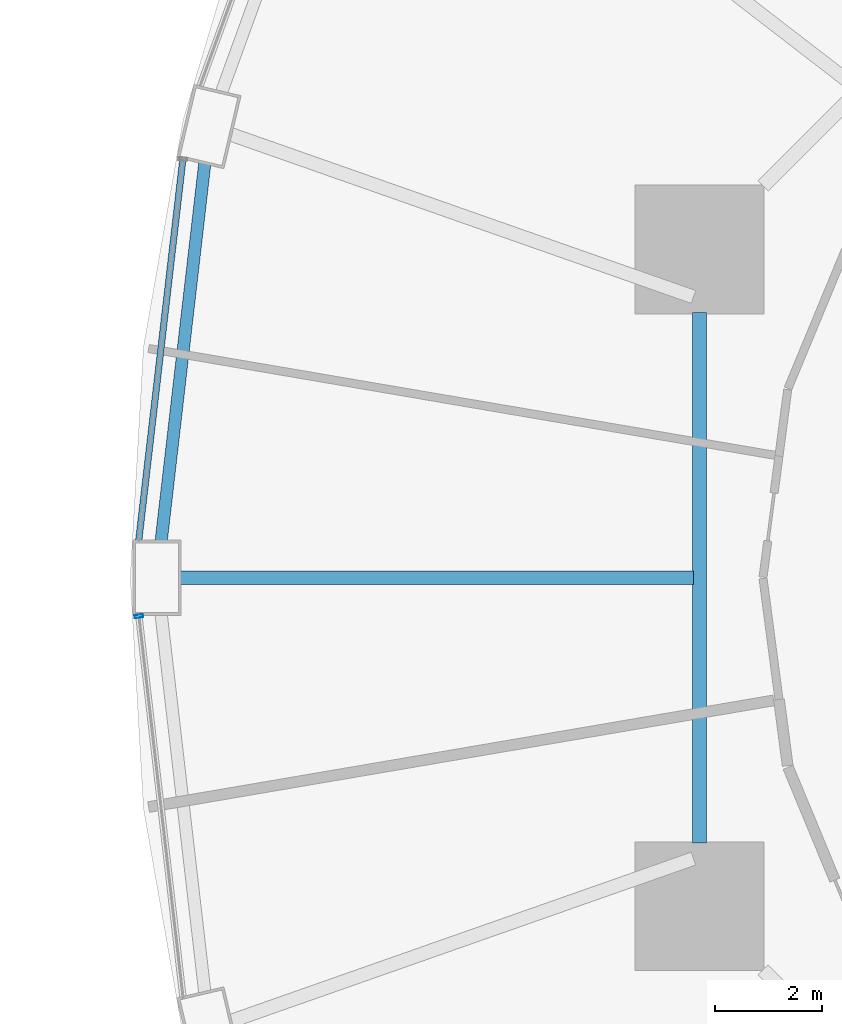
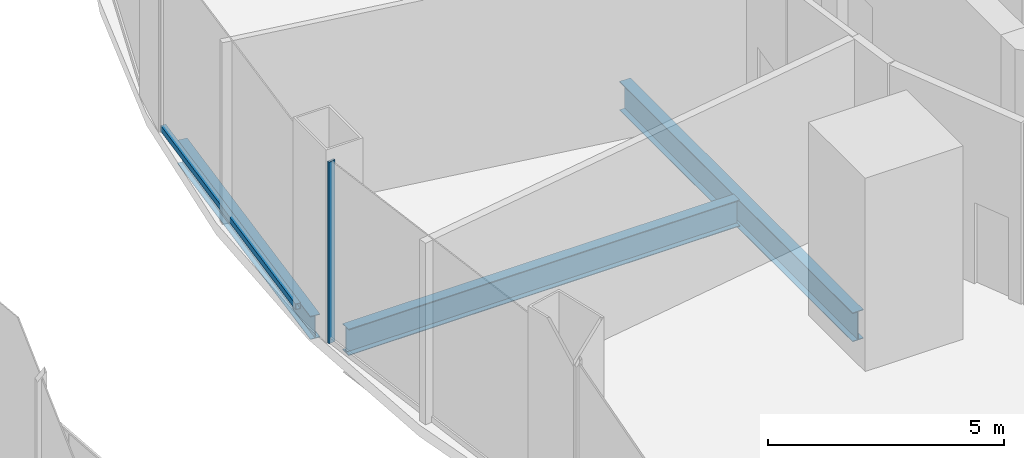
# One storey, part 18 of 48: 3 beams, 2 members, 2 elements without a shape of their own.
"""IFC4 building model written with IfcOpenShell, lengths in metres."""

from ifc_helpers import new_model, si_unit, direction, frame, origin, origin_2d, place, context, subcontext, project, spatial, hollow_rectangle, i_section, extrude, material, layer, layer_set, material_profile, profile_set, type_object, element, aggregate, save


model = new_model("IFC4")

# Units and contexts
model_context = context("Model", 3, precision=1e-05, world=origin(), true_north=direction((0.0, 1.0)))
body_context = subcontext(model_context, "Body", "Model", "MODEL_VIEW")
ifc_project = project(units=[si_unit("LENGTHUNIT", "METRE"), si_unit("AREAUNIT", "SQUARE_METRE"), si_unit("VOLUMEUNIT", "CUBIC_METRE"), si_unit("PLANEANGLEUNIT", "RADIAN"), si_unit("MASSUNIT", "GRAM", prefix="KILO")], contexts=[model_context])

# Site, building, storey
site_placement = place(None, origin())
site = spatial("IfcSite", under=ifc_project, at=site_placement, CompositionType="ELEMENT")
building_placement = place(site_placement, origin())
building = spatial("IfcBuilding", under=site, at=building_placement, Name="Nagisa Residences", CompositionType="ELEMENT")
storey_placement = place(building_placement, frame((0.0, 0.0, 12.0)))
storey = spatial("IfcBuildingStorey", under=building, at=storey_placement, Name="L02", CompositionType="ELEMENT", Elevation=12.0)

# Curtain wall, member
ifc_material_1 = material(Name="Stainless steel curtain wall system", Category="steel")
ifc_layer = layer(ifc_material_1, 0.159912109375)
ifc_layer_set = layer_set([ifc_layer], Name="CW6 CURTAIN WALL")
curtain_wall_type = type_object("IfcCurtainWallType", Name="CW6 CURTAIN WALL", PredefinedType="NOTDEFINED", material=ifc_layer_set)
curtain_wall_1_placement = place(storey_placement, origin())
curtain_wall_1 = element("IfcCurtainWall", 1, at=curtain_wall_1_placement, inside=storey, type_object=curtain_wall_type, Name="cw:CW6:L02:24", PredefinedType="NOTDEFINED")
ifc_material_2 = material(Name="Stainless steel", Category="steel")
ifc_material_profile_1 = material_profile(ifc_material_2, hollow_rectangle(XDim=0.159912109375, YDim=0.06005859375, WallThickness=0.006103515625, at=origin_2d()), Name="CW6 MULLION 160x60")
ifc_profile_set_1 = profile_set([ifc_material_profile_1], Name="Stainless steel")
member_type_1 = type_object("IfcMemberType", Name="CW6 MULLION 160x60", PredefinedType="MULLION", material=ifc_profile_set_1)
member_1_placement = place(storey_placement, frame((-25.236572265625, -0.716064453125, 0.0), z_axis=(0.0, 0.0, 1.0), x_axis=(0.993373823596, 0.114928006139, 0.0)))
member_1 = element("IfcMember", 2, at=member_1_placement, type_object=member_type_1, Name="CW6 mullion", PredefinedType="MULLION", context=body_context, shape_type="SweptSolid", body=[
    extrude(hollow_rectangle(XDim=0.159912109375, YDim=0.06005859375, WallThickness=0.006103515625, at=origin_2d()), origin(), (0.0, 0.0, 1.0), 4.699951171875),
])
aggregate(curtain_wall_1, [member_1])

curtain_wall_2_placement = place(storey_placement, origin())
curtain_wall_2 = element("IfcCurtainWall", 3, at=curtain_wall_2_placement, inside=storey, type_object=curtain_wall_type, Name="cw:CW6:L02:22", PredefinedType="NOTDEFINED")
ifc_material_3 = material(Name="Stainless steel", Category="steel")
ifc_material_profile_2 = material_profile(ifc_material_3, hollow_rectangle(XDim=0.1201171875, YDim=0.14990234375, WallThickness=0.008056640625, at=origin_2d()), Name="CW6 TRANSOM 120x150")
ifc_profile_set_2 = profile_set([ifc_material_profile_2], Name="Stainless steel")
member_type_2 = type_object("IfcMemberType", Name="CW6 TRANSOM 120x150", PredefinedType="USERDEFINED", material=ifc_profile_set_2)
member_2_placement = place(storey_placement, frame((-24.412841796875, 7.83642578125, 0.074951171875), z_axis=(-0.114916347997, -0.993375172311, 0.0), x_axis=(0.993375172311, -0.114916347997, 0.0)))
member_2 = element("IfcMember", 4, at=member_2_placement, type_object=member_type_2, Name="CW6 transom", ObjectType="TRANSOM", PredefinedType="USERDEFINED", context=body_context, shape_type="SweptSolid", body=[
    extrude(hollow_rectangle(XDim=0.1201171875, YDim=0.14990234375, WallThickness=0.008056640625, at=origin_2d()), origin(), (0.0, 0.0, 1.0), 7.19775390625),
])
aggregate(curtain_wall_2, [member_2])

# Beams
ifc_material_4 = material(Name="Steel ASTM A572 Gr 50", Category="steel")
ifc_material_profile_3 = material_profile(ifc_material_4, i_section(OverallWidth=0.264892578125, OverallDepth=0.7529296875, WebThickness=0.01318359375, FlangeThickness=0.01708984375, at=origin_2d()), Name="W760x147")
ifc_profile_set_3 = profile_set([ifc_material_profile_3], Name="Steel ASTM A572 Gr 50")
beam_type_1 = type_object("IfcBeamType", Name="Inner ring beam W760x147", PredefinedType="BEAM", material=ifc_profile_set_3)
beam_1_placement = place(storey_placement, frame((-14.781982421875, 4.94287109375, -0.676513671875), z_axis=(0.0, -1.0, 0.0), x_axis=(1.0, 0.0, 0.0)))
element("IfcBeam", 5, at=beam_1_placement, inside=storey, type_object=beam_type_1, Name="beam:L02:ib4", PredefinedType="BEAM", context=body_context, shape_type="SweptSolid", body=[
    extrude(i_section(OverallWidth=0.264892578125, OverallDepth=0.7529296875, WebThickness=0.01318359375, FlangeThickness=0.01708984375, at=origin_2d()), origin(), (0.0, 0.0, 1.0), 9.8857421875),
])
ifc_material_5 = material(Name="Steel ASTM A572 Gr 50", Category="steel")
ifc_material_profile_4 = material_profile(ifc_material_5, i_section(OverallWidth=0.22802734375, OverallDepth=0.60302734375, WebThickness=0.010498046875, FlangeThickness=0.014892578125, at=origin_2d()), Name="W610x101")
ifc_profile_set_4 = profile_set([ifc_material_profile_4], Name="Steel ASTM A572 Gr 50")
beam_type_2 = type_object("IfcBeamType", Name="Perimeter ring beam W610x101", PredefinedType="BEAM", material=ifc_profile_set_4)
beam_2_placement = place(storey_placement, frame((-24.00732421875, 7.7314453125, -0.6015625), z_axis=(-0.114707660057, -0.993399291687, 0.0), x_axis=(0.993399291687, -0.114707660057, 0.0)))
element("IfcBeam", 6, at=beam_2_placement, inside=storey, type_object=beam_type_2, Name="beam:L02:pb12", PredefinedType="BEAM", context=body_context, shape_type="SweptSolid", body=[
    extrude(i_section(OverallWidth=0.22802734375, OverallDepth=0.60302734375, WebThickness=0.010498046875, FlangeThickness=0.014892578125, at=origin_2d()), origin(), (0.0, 0.0, 1.0), 7.09814453125),
])
ifc_material_6 = material(Name="Steel ASTM A572 Gr 50", Category="steel")
ifc_material_profile_5 = material_profile(ifc_material_6, i_section(OverallWidth=0.25390625, OverallDepth=0.68408203125, WebThickness=0.012451171875, FlangeThickness=0.018798828125, at=origin_2d()), Name="W690x140")
ifc_profile_set_5 = profile_set([ifc_material_profile_5], Name="Steel ASTM A572 Gr 50")
beam_type_3 = type_object("IfcBeamType", Name="Radial beam W690x140", PredefinedType="BEAM", material=ifc_profile_set_5)
beam_3_placement = place(storey_placement, frame((-24.469970703125, 0.0, -0.64208984375), z_axis=(1.0, 0.0, 0.0), x_axis=(0.0, 1.0, 0.0)))
element("IfcBeam", 7, at=beam_3_placement, inside=storey, type_object=beam_type_3, Name="beam:L02:rb13", PredefinedType="BEAM", context=body_context, shape_type="SweptSolid", body=[
    extrude(i_section(OverallWidth=0.25390625, OverallDepth=0.68408203125, WebThickness=0.012451171875, FlangeThickness=0.018798828125, at=origin_2d()), origin(), (0.0, 0.0, 1.0), 9.575439453125),
])

save(model, "model.ifc")
